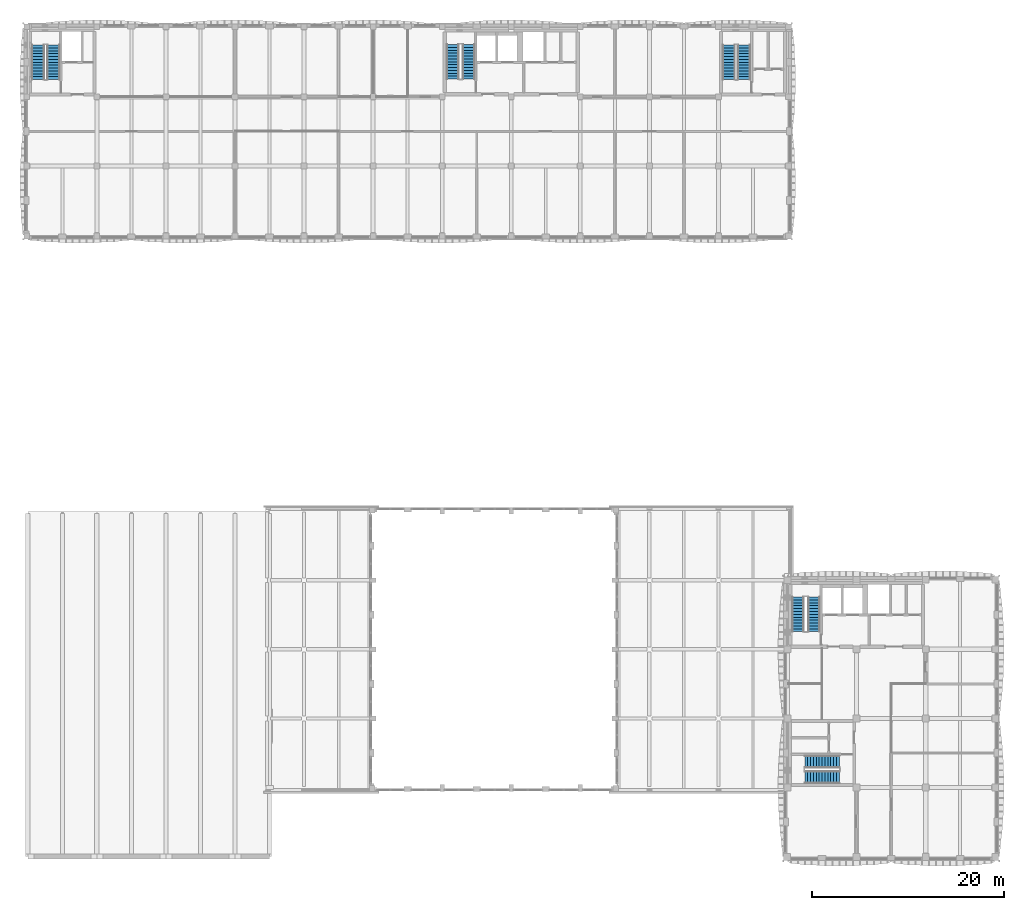
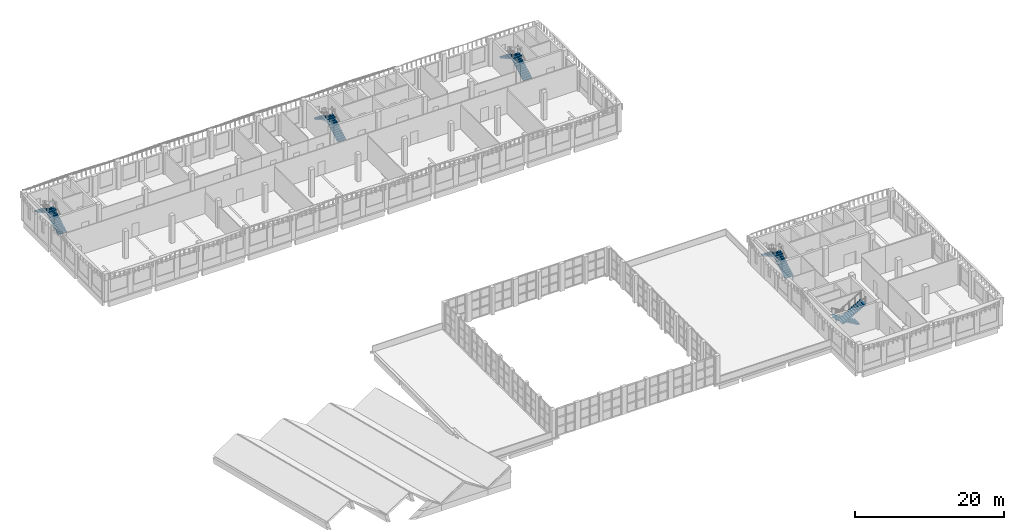
# One storey, part 22 of 44: 10 stair flights, 5 elements without a shape of their own.
"""IFC4 building model written with IfcOpenShell, lengths in metres."""

from ifc_helpers import new_model, si_unit, direction, frame, origin, place, context, subcontext, project, spatial, polyline, outline, extrude, material, type_object, element, aggregate, save


model = new_model("IFC4")

# Units and contexts
model_context = context("Model", 3, precision=1e-05, world=origin(), true_north=direction((0.0, 1.0)))
body_context = subcontext(model_context, "Body", "Model", "MODEL_VIEW")
ifc_project = project(units=[si_unit("LENGTHUNIT", "METRE"), si_unit("AREAUNIT", "SQUARE_METRE"), si_unit("VOLUMEUNIT", "CUBIC_METRE"), si_unit("PLANEANGLEUNIT", "RADIAN"), si_unit("MASSUNIT", "GRAM", prefix="KILO")], contexts=[model_context])

# Site, building, storey
site_placement = place(None, origin())
site = spatial("IfcSite", under=ifc_project, at=site_placement, CompositionType="ELEMENT")
building_placement = place(site_placement, origin())
building = spatial("IfcBuilding", under=site, at=building_placement, Name="Ussher Court Research Institute", CompositionType="ELEMENT")
storey_placement = place(building_placement, frame((0.0, 0.0, 18.89990234375)))
storey = spatial("IfcBuildingStorey", under=building, at=storey_placement, Name="L04", CompositionType="ELEMENT", Elevation=18.89990234375)

# Stair, stair flights
ifc_material_1 = material(Name="Concrete C35/45", Category="concrete")
stair_type_1 = type_object("IfcStairType", Name="Core stair 26 risers 173 mm x 300 going 1280 wide", PredefinedType="HALF_TURN_STAIR", material=ifc_material_1)
stair_1_placement = place(storey_placement, origin())
stair_1 = element("IfcStair", 1, at=stair_1_placement, inside=storey, type_object=stair_type_1, Name="L04 Stair D2", PredefinedType="HALF_TURN_STAIR")
ifc_material_2 = material(Name="Concrete C35/45", Category="concrete")
stair_flight_type_1 = type_object("IfcStairFlightType", Name="Stair flight 13 risers 1280 RC", PredefinedType="STRAIGHT", material=ifc_material_2)
stair_flight_1_placement = place(storey_placement, frame((48.9599609375, 85.050048828125, 0.0), z_axis=(0.0, 0.0, 1.0), x_axis=(0.0, 1.0, 0.0)))
stair_flight_1 = element("IfcStairFlight", 2, at=stair_flight_1_placement, type_object=stair_flight_type_1, Name="D2 flight 1", NumberOfRisers=13, NumberOfTreads=12, PredefinedType="STRAIGHT", RiserHeight=0.173076923, TreadLength=0.3, context=body_context, shape_type="SweptSolid", body=[
    extrude(outline(polyline([(0.0, 0.0), (0.0, 0.173095703125), (0.300048828125, 0.173095703125), (0.300048828125, 0.34619140625), (0.60009765625, 0.34619140625), (0.60009765625, 0.519287109375), (0.89990234375, 0.519287109375), (0.89990234375, 0.6923828125), (1.199951171875, 0.6923828125), (1.199951171875, 0.865478515625), (1.5, 0.865478515625), (1.5, 1.03857421875), (1.800048828125, 1.03857421875), (1.800048828125, 1.21142578125), (2.10009765625, 1.21142578125), (2.10009765625, 1.384521484375), (2.39990234375, 1.384521484375), (2.39990234375, 1.5576171875), (2.699951171875, 1.5576171875), (2.699951171875, 1.730712890625), (3.0, 1.730712890625), (3.0, 1.90380859375), (3.300048828125, 1.90380859375), (3.300048828125, 2.076904296875), (3.60009765625, 2.076904296875), (3.60009765625, 2.25), (3.60009765625, 1.90380859375), (0.300048828125, 0.0), (0.0, 0.0)])), frame((0.0, 0.64013671875, 0.0), z_axis=(0.0, -1.0, 0.0), x_axis=(1.0, 0.0, 0.0)), (0.0, 0.0, 1.0), 1.280029296875),
])
stair_flight_2_placement = place(storey_placement, frame((47.2900390625, 88.64990234375, 2.25), z_axis=(0.0, 0.0, 1.0), x_axis=(0.0, -1.0, 0.0)))
stair_flight_2 = element("IfcStairFlight", 3, at=stair_flight_2_placement, type_object=stair_flight_type_1, Name="D2 flight 2", NumberOfRisers=13, NumberOfTreads=12, PredefinedType="STRAIGHT", RiserHeight=0.173076923, TreadLength=0.3, context=body_context, shape_type="SweptSolid", body=[
    extrude(outline(polyline([(0.0, 0.0), (0.0, 0.173095703125), (0.300048828125, 0.173095703125), (0.300048828125, 0.34619140625), (0.60009765625, 0.34619140625), (0.60009765625, 0.519287109375), (0.89990234375, 0.519287109375), (0.89990234375, 0.6923828125), (1.199951171875, 0.6923828125), (1.199951171875, 0.865478515625), (1.5, 0.865478515625), (1.5, 1.03857421875), (1.800048828125, 1.03857421875), (1.800048828125, 1.21142578125), (2.10009765625, 1.21142578125), (2.10009765625, 1.384521484375), (2.39990234375, 1.384521484375), (2.39990234375, 1.5576171875), (2.699951171875, 1.5576171875), (2.699951171875, 1.730712890625), (3.0, 1.730712890625), (3.0, 1.90380859375), (3.300048828125, 1.90380859375), (3.300048828125, 2.076904296875), (3.60009765625, 2.076904296875), (3.60009765625, 2.25), (3.60009765625, 1.90380859375), (0.300048828125, 0.0), (0.0, 0.0)])), frame((0.0, 0.64013671875, 0.0), z_axis=(0.0, -1.0, 0.0), x_axis=(1.0, 0.0, 0.0)), (0.0, 0.0, 1.0), 1.280029296875),
])
aggregate(stair_1, [stair_flight_1, stair_flight_2])

stair_2_placement = place(storey_placement, origin())
stair_2 = element("IfcStair", 4, at=stair_2_placement, inside=storey, type_object=stair_type_1, Name="L04 Stair T1", PredefinedType="HALF_TURN_STAIR")
stair_flight_3_placement = place(storey_placement, frame((84.9599609375, 27.449951171875, 0.0), z_axis=(0.0, 0.0, 1.0), x_axis=(0.0, 1.0, 0.0)))
stair_flight_3 = element("IfcStairFlight", 5, at=stair_flight_3_placement, type_object=stair_flight_type_1, Name="T1 flight 1", NumberOfRisers=13, NumberOfTreads=12, PredefinedType="STRAIGHT", RiserHeight=0.173076923, TreadLength=0.3, context=body_context, shape_type="SweptSolid", body=[
    extrude(outline(polyline([(0.0, 0.0), (0.0, 0.173095703125), (0.300048828125, 0.173095703125), (0.300048828125, 0.34619140625), (0.60009765625, 0.34619140625), (0.60009765625, 0.519287109375), (0.89990234375, 0.519287109375), (0.89990234375, 0.6923828125), (1.199951171875, 0.6923828125), (1.199951171875, 0.865478515625), (1.5, 0.865478515625), (1.5, 1.03857421875), (1.800048828125, 1.03857421875), (1.800048828125, 1.21142578125), (2.10009765625, 1.21142578125), (2.10009765625, 1.384521484375), (2.39990234375, 1.384521484375), (2.39990234375, 1.5576171875), (2.699951171875, 1.5576171875), (2.699951171875, 1.730712890625), (3.0, 1.730712890625), (3.0, 1.90380859375), (3.300048828125, 1.90380859375), (3.300048828125, 2.076904296875), (3.60009765625, 2.076904296875), (3.60009765625, 2.25), (3.60009765625, 1.90380859375), (0.300048828125, 0.0), (0.0, 0.0)])), frame((0.0, 0.64013671875, 0.0), z_axis=(0.0, -1.0, 0.0), x_axis=(1.0, 0.0, 0.0)), (0.0, 0.0, 1.0), 1.280029296875),
])
stair_flight_4_placement = place(storey_placement, frame((83.2900390625, 31.050048828125, 2.25), z_axis=(0.0, 0.0, 1.0), x_axis=(0.0, -1.0, 0.0)))
stair_flight_4 = element("IfcStairFlight", 6, at=stair_flight_4_placement, type_object=stair_flight_type_1, Name="T1 flight 2", NumberOfRisers=13, NumberOfTreads=12, PredefinedType="STRAIGHT", RiserHeight=0.173076923, TreadLength=0.3, context=body_context, shape_type="SweptSolid", body=[
    extrude(outline(polyline([(0.0, 0.0), (0.0, 0.173095703125), (0.300048828125, 0.173095703125), (0.300048828125, 0.34619140625), (0.60009765625, 0.34619140625), (0.60009765625, 0.519287109375), (0.89990234375, 0.519287109375), (0.89990234375, 0.6923828125), (1.199951171875, 0.6923828125), (1.199951171875, 0.865478515625), (1.5, 0.865478515625), (1.5, 1.03857421875), (1.800048828125, 1.03857421875), (1.800048828125, 1.21142578125), (2.10009765625, 1.21142578125), (2.10009765625, 1.384521484375), (2.39990234375, 1.384521484375), (2.39990234375, 1.5576171875), (2.699951171875, 1.5576171875), (2.699951171875, 1.730712890625), (3.0, 1.730712890625), (3.0, 1.90380859375), (3.300048828125, 1.90380859375), (3.300048828125, 2.076904296875), (3.60009765625, 2.076904296875), (3.60009765625, 2.25), (3.60009765625, 1.90380859375), (0.300048828125, 0.0), (0.0, 0.0)])), frame((0.0, 0.64013671875, 0.0), z_axis=(0.0, -1.0, 0.0), x_axis=(1.0, 0.0, 0.0)), (0.0, 0.0, 1.0), 1.280029296875),
])
aggregate(stair_2, [stair_flight_3, stair_flight_4])

ifc_material_3 = material(Name="Concrete C35/45", Category="concrete")
stair_type_2 = type_object("IfcStairType", Name="Core stair 26 risers 173 mm x 300 going 1300 wide", PredefinedType="HALF_TURN_STAIR", material=ifc_material_3)
stair_3_placement = place(storey_placement, origin())
stair_3 = element("IfcStair", 7, at=stair_3_placement, inside=storey, type_object=stair_type_2, Name="L04 Stair T2", PredefinedType="HALF_TURN_STAIR")
ifc_material_4 = material(Name="Concrete C35/45", Category="concrete")
stair_flight_type_2 = type_object("IfcStairFlightType", Name="Stair flight 13 risers 1300 RC", PredefinedType="STRAIGHT", material=ifc_material_4)
stair_flight_5_placement = place(storey_placement, frame((87.60009765625, 13.89990234375, 0.0), z_axis=(0.0, 0.0, 1.0), x_axis=(-1.0, 0.0, 0.0)))
stair_flight_5 = element("IfcStairFlight", 8, at=stair_flight_5_placement, type_object=stair_flight_type_2, Name="T2 flight 1", NumberOfRisers=13, NumberOfTreads=12, PredefinedType="STRAIGHT", RiserHeight=0.173076923, TreadLength=0.3, context=body_context, shape_type="SweptSolid", body=[
    extrude(outline(polyline([(0.0, 0.0), (0.0, 0.173095703125), (0.300048828125, 0.173095703125), (0.300048828125, 0.34619140625), (0.60009765625, 0.34619140625), (0.60009765625, 0.519287109375), (0.89990234375, 0.519287109375), (0.89990234375, 0.6923828125), (1.199951171875, 0.6923828125), (1.199951171875, 0.865478515625), (1.5, 0.865478515625), (1.5, 1.03857421875), (1.800048828125, 1.03857421875), (1.800048828125, 1.21142578125), (2.10009765625, 1.21142578125), (2.10009765625, 1.384521484375), (2.39990234375, 1.384521484375), (2.39990234375, 1.5576171875), (2.699951171875, 1.5576171875), (2.699951171875, 1.730712890625), (3.0, 1.730712890625), (3.0, 1.90380859375), (3.300048828125, 1.90380859375), (3.300048828125, 2.076904296875), (3.60009765625, 2.076904296875), (3.60009765625, 2.25), (3.60009765625, 1.90380859375), (0.300048828125, 0.0), (0.0, 0.0)])), frame((0.0, 0.64990234375, 0.0), z_axis=(0.0, -1.0, 0.0), x_axis=(1.0, 0.0, 0.0)), (0.0, 0.0, 1.0), 1.300048828125),
])
stair_flight_6_placement = place(storey_placement, frame((84.0, 12.25, 2.25), z_axis=(0.0, 0.0, 1.0), x_axis=(1.0, 0.0, 0.0)))
stair_flight_6 = element("IfcStairFlight", 9, at=stair_flight_6_placement, type_object=stair_flight_type_2, Name="T2 flight 2", NumberOfRisers=13, NumberOfTreads=12, PredefinedType="STRAIGHT", RiserHeight=0.173076923, TreadLength=0.3, context=body_context, shape_type="SweptSolid", body=[
    extrude(outline(polyline([(0.0, 0.0), (0.0, 0.173095703125), (0.300048828125, 0.173095703125), (0.300048828125, 0.34619140625), (0.60009765625, 0.34619140625), (0.60009765625, 0.519287109375), (0.89990234375, 0.519287109375), (0.89990234375, 0.6923828125), (1.199951171875, 0.6923828125), (1.199951171875, 0.865478515625), (1.5, 0.865478515625), (1.5, 1.03857421875), (1.800048828125, 1.03857421875), (1.800048828125, 1.21142578125), (2.10009765625, 1.21142578125), (2.10009765625, 1.384521484375), (2.39990234375, 1.384521484375), (2.39990234375, 1.5576171875), (2.699951171875, 1.5576171875), (2.699951171875, 1.730712890625), (3.0, 1.730712890625), (3.0, 1.90380859375), (3.300048828125, 1.90380859375), (3.300048828125, 2.076904296875), (3.60009765625, 2.076904296875), (3.60009765625, 2.25), (3.60009765625, 1.90380859375), (0.300048828125, 0.0), (0.0, 0.0)])), frame((0.0, 0.64990234375, 0.0), z_axis=(0.0, -1.0, 0.0), x_axis=(1.0, 0.0, 0.0)), (0.0, 0.0, 1.0), 1.300048828125),
])
aggregate(stair_3, [stair_flight_5, stair_flight_6])

ifc_material_5 = material(Name="Concrete C35/45", Category="concrete")
stair_type_3 = type_object("IfcStairType", Name="Core stair 26 risers 173 mm x 300 going 1350 wide", PredefinedType="HALF_TURN_STAIR", material=ifc_material_5)
stair_4_placement = place(storey_placement, origin())
stair_4 = element("IfcStair", 10, at=stair_4_placement, inside=storey, type_object=stair_type_3, Name="L04 Stair D1", PredefinedType="HALF_TURN_STAIR")
ifc_material_6 = material(Name="Concrete C35/45", Category="concrete")
stair_flight_type_3 = type_object("IfcStairFlightType", Name="Stair flight 13 risers 1350 RC", PredefinedType="STRAIGHT", material=ifc_material_6)
stair_flight_7_placement = place(storey_placement, frame((5.675048828125, 85.0, 0.0), z_axis=(0.0, 0.0, 1.0), x_axis=(0.0, 1.0, 0.0)))
stair_flight_7 = element("IfcStairFlight", 11, at=stair_flight_7_placement, type_object=stair_flight_type_3, Name="D1 flight 1", NumberOfRisers=13, NumberOfTreads=12, PredefinedType="STRAIGHT", RiserHeight=0.173076923, TreadLength=0.3, context=body_context, shape_type="SweptSolid", body=[
    extrude(outline(polyline([(0.0, 0.0), (0.0, 0.173095703125), (0.300048828125, 0.173095703125), (0.300048828125, 0.34619140625), (0.60009765625, 0.34619140625), (0.60009765625, 0.519287109375), (0.89990234375, 0.519287109375), (0.89990234375, 0.6923828125), (1.199951171875, 0.6923828125), (1.199951171875, 0.865478515625), (1.5, 0.865478515625), (1.5, 1.03857421875), (1.800048828125, 1.03857421875), (1.800048828125, 1.21142578125), (2.10009765625, 1.21142578125), (2.10009765625, 1.384521484375), (2.39990234375, 1.384521484375), (2.39990234375, 1.5576171875), (2.699951171875, 1.5576171875), (2.699951171875, 1.730712890625), (3.0, 1.730712890625), (3.0, 1.90380859375), (3.300048828125, 1.90380859375), (3.300048828125, 2.076904296875), (3.60009765625, 2.076904296875), (3.60009765625, 2.25), (3.60009765625, 1.90380859375), (0.300048828125, 0.0), (0.0, 0.0)])), frame((0.0, 0.675048828125, 0.0), z_axis=(0.0, -1.0, 0.0), x_axis=(1.0, 0.0, 0.0)), (0.0, 0.0, 1.0), 1.35009765625),
])
stair_flight_8_placement = place(storey_placement, frame((4.074951171875, 88.60009765625, 2.25), z_axis=(0.0, 0.0, 1.0), x_axis=(0.0, -1.0, 0.0)))
stair_flight_8 = element("IfcStairFlight", 12, at=stair_flight_8_placement, type_object=stair_flight_type_3, Name="D1 flight 2", NumberOfRisers=13, NumberOfTreads=12, PredefinedType="STRAIGHT", RiserHeight=0.173076923, TreadLength=0.3, context=body_context, shape_type="SweptSolid", body=[
    extrude(outline(polyline([(0.0, 0.0), (0.0, 0.173095703125), (0.300048828125, 0.173095703125), (0.300048828125, 0.34619140625), (0.60009765625, 0.34619140625), (0.60009765625, 0.519287109375), (0.89990234375, 0.519287109375), (0.89990234375, 0.6923828125), (1.199951171875, 0.6923828125), (1.199951171875, 0.865478515625), (1.5, 0.865478515625), (1.5, 1.03857421875), (1.800048828125, 1.03857421875), (1.800048828125, 1.21142578125), (2.10009765625, 1.21142578125), (2.10009765625, 1.384521484375), (2.39990234375, 1.384521484375), (2.39990234375, 1.5576171875), (2.699951171875, 1.5576171875), (2.699951171875, 1.730712890625), (3.0, 1.730712890625), (3.0, 1.90380859375), (3.300048828125, 1.90380859375), (3.300048828125, 2.076904296875), (3.60009765625, 2.076904296875), (3.60009765625, 2.25), (3.60009765625, 1.90380859375), (0.300048828125, 0.0), (0.0, 0.0)])), frame((0.0, 0.675048828125, 0.0), z_axis=(0.0, -1.0, 0.0), x_axis=(1.0, 0.0, 0.0)), (0.0, 0.0, 1.0), 1.35009765625),
])
aggregate(stair_4, [stair_flight_7, stair_flight_8])

stair_5_placement = place(storey_placement, origin())
stair_5 = element("IfcStair", 13, at=stair_5_placement, inside=storey, type_object=stair_type_3, Name="L04 Stair D3", PredefinedType="HALF_TURN_STAIR")
stair_flight_9_placement = place(storey_placement, frame((77.675048828125, 85.0, 0.0), z_axis=(0.0, 0.0, 1.0), x_axis=(0.0, 1.0, 0.0)))
stair_flight_9 = element("IfcStairFlight", 14, at=stair_flight_9_placement, type_object=stair_flight_type_3, Name="D3 flight 1", NumberOfRisers=13, NumberOfTreads=12, PredefinedType="STRAIGHT", RiserHeight=0.173076923, TreadLength=0.3, context=body_context, shape_type="SweptSolid", body=[
    extrude(outline(polyline([(0.0, 0.0), (0.0, 0.173095703125), (0.300048828125, 0.173095703125), (0.300048828125, 0.34619140625), (0.60009765625, 0.34619140625), (0.60009765625, 0.519287109375), (0.89990234375, 0.519287109375), (0.89990234375, 0.6923828125), (1.199951171875, 0.6923828125), (1.199951171875, 0.865478515625), (1.5, 0.865478515625), (1.5, 1.03857421875), (1.800048828125, 1.03857421875), (1.800048828125, 1.21142578125), (2.10009765625, 1.21142578125), (2.10009765625, 1.384521484375), (2.39990234375, 1.384521484375), (2.39990234375, 1.5576171875), (2.699951171875, 1.5576171875), (2.699951171875, 1.730712890625), (3.0, 1.730712890625), (3.0, 1.90380859375), (3.300048828125, 1.90380859375), (3.300048828125, 2.076904296875), (3.60009765625, 2.076904296875), (3.60009765625, 2.25), (3.60009765625, 1.90380859375), (0.300048828125, 0.0), (0.0, 0.0)])), frame((0.0, 0.675048828125, 0.0), z_axis=(0.0, -1.0, 0.0), x_axis=(1.0, 0.0, 0.0)), (0.0, 0.0, 1.0), 1.35009765625),
])
stair_flight_10_placement = place(storey_placement, frame((76.074951171875, 88.60009765625, 2.25), z_axis=(0.0, 0.0, 1.0), x_axis=(0.0, -1.0, 0.0)))
stair_flight_10 = element("IfcStairFlight", 15, at=stair_flight_10_placement, type_object=stair_flight_type_3, Name="D3 flight 2", NumberOfRisers=13, NumberOfTreads=12, PredefinedType="STRAIGHT", RiserHeight=0.173076923, TreadLength=0.3, context=body_context, shape_type="SweptSolid", body=[
    extrude(outline(polyline([(0.0, 0.0), (0.0, 0.173095703125), (0.300048828125, 0.173095703125), (0.300048828125, 0.34619140625), (0.60009765625, 0.34619140625), (0.60009765625, 0.519287109375), (0.89990234375, 0.519287109375), (0.89990234375, 0.6923828125), (1.199951171875, 0.6923828125), (1.199951171875, 0.865478515625), (1.5, 0.865478515625), (1.5, 1.03857421875), (1.800048828125, 1.03857421875), (1.800048828125, 1.21142578125), (2.10009765625, 1.21142578125), (2.10009765625, 1.384521484375), (2.39990234375, 1.384521484375), (2.39990234375, 1.5576171875), (2.699951171875, 1.5576171875), (2.699951171875, 1.730712890625), (3.0, 1.730712890625), (3.0, 1.90380859375), (3.300048828125, 1.90380859375), (3.300048828125, 2.076904296875), (3.60009765625, 2.076904296875), (3.60009765625, 2.25), (3.60009765625, 1.90380859375), (0.300048828125, 0.0), (0.0, 0.0)])), frame((0.0, 0.675048828125, 0.0), z_axis=(0.0, -1.0, 0.0), x_axis=(1.0, 0.0, 0.0)), (0.0, 0.0, 1.0), 1.35009765625),
])
aggregate(stair_5, [stair_flight_9, stair_flight_10])

save(model, "model.ifc")
